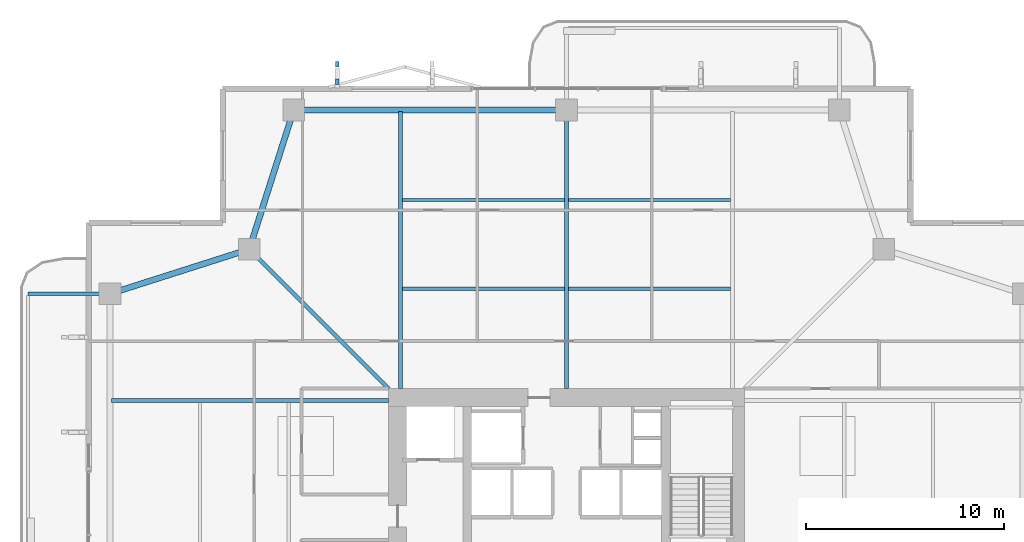
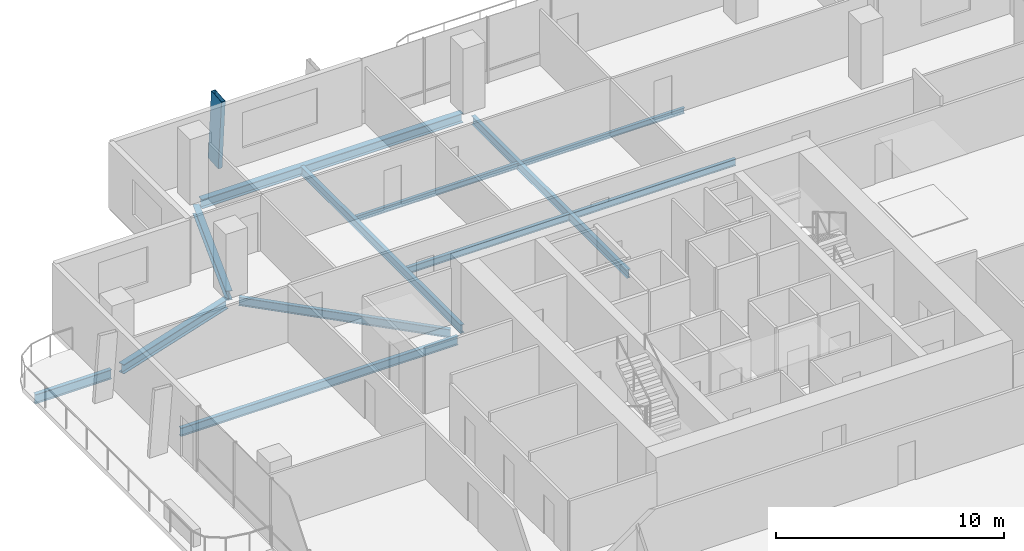
# One storey, part 13 of 25: 12 beams, 1 member.
"""IFC4 building model written with IfcOpenShell, lengths in metres."""

from ifc_helpers import new_model, si_unit, direction, frame, origin, origin_2d, place, context, subcontext, project, spatial, hollow_rectangle, i_section, extrude, material, material_profile, profile_set, type_object, element, save


model = new_model("IFC4")

# Units and contexts
model_context = context("Model", 3, precision=1e-05, world=origin(), true_north=direction((0.0, 1.0)))
body_context = subcontext(model_context, "Body", "Model", "MODEL_VIEW")
ifc_project = project(units=[si_unit("LENGTHUNIT", "METRE"), si_unit("AREAUNIT", "SQUARE_METRE"), si_unit("VOLUMEUNIT", "CUBIC_METRE"), si_unit("PLANEANGLEUNIT", "RADIAN"), si_unit("MASSUNIT", "GRAM", prefix="KILO")], contexts=[model_context])

# Site, building, storey
site_placement = place(None, origin())
site = spatial("IfcSite", under=ifc_project, at=site_placement, CompositionType="ELEMENT")
building_placement = place(site_placement, origin())
building = spatial("IfcBuilding", under=site, at=building_placement, Name="Belovzor Exchange Tower", CompositionType="ELEMENT")
storey_placement = place(building_placement, frame((0.0, 0.0, 183.300048828125)))
storey = spatial("IfcBuildingStorey", under=building, at=storey_placement, Name="L45", CompositionType="ELEMENT", Elevation=183.300048828125)

# Beams
ifc_material_1 = material(Name="Steel S355", Category="steel")
ifc_material_profile_1 = material_profile(ifc_material_1, i_section(OverallWidth=0.199951171875, OverallDepth=0.5, WebThickness=0.01025390625, FlangeThickness=0.01611328125, at=origin_2d()))
ifc_profile_set_1 = profile_set([ifc_material_profile_1], Name="Steel S355")
beam_type_1 = type_object("IfcBeamType", Name="Planted Balcony Cantilever Beam IPE 500", PredefinedType="BEAM", material=ifc_profile_set_1)
beam_1_placement = place(storey_placement, frame((5.39697265625, 42.60009765625, -0.505126953125), z_axis=(-1.0, 0.0, 0.0), x_axis=(0.0, -1.0, 0.0)))
element("IfcBeam", 1, at=beam_1_placement, inside=storey, type_object=beam_type_1, Name="BC-500 Planted Balcony Cantilever Beam IPE 500", PredefinedType="BEAM", context=body_context, shape_type="SweptSolid", body=[
    extrude(i_section(OverallWidth=0.199951171875, OverallDepth=0.5, WebThickness=0.01025390625, FlangeThickness=0.01611328125, at=origin_2d()), origin(), (0.0, 0.0, 1.0), 3.849853515625),
])
ifc_material_2 = material(Name="Steel S355", Category="steel")
ifc_material_profile_2 = material_profile(ifc_material_2, i_section(OverallWidth=0.169921875, OverallDepth=0.360107421875, WebThickness=0.008056640625, FlangeThickness=0.0126953125, at=origin_2d()))
ifc_profile_set_2 = profile_set([ifc_material_profile_2], Name="Steel S355")
beam_type_2 = type_object("IfcBeamType", Name="Secondary Infill Floor Joist IPE 360", PredefinedType="BEAM", material=ifc_profile_set_2)
for number, where, z_axis, x_axis, name in (
    (2, (20.4951171875, 42.84912109375, -0.43505859375), (1.0, 0.0, 0.0), (0.0, 1.0, 0.0), "FJ-360 Secondary Infill Floor Joist IPE 360"),
    (3, (28.89501953125, 42.84912109375, -0.43505859375), (1.0, 0.0, 0.0), (0.0, 1.0, 0.0), "FJ-360 Secondary Infill Floor Joist IPE 360"),
):
    element("IfcBeam", number, at=place(storey_placement, frame(where, z_axis=z_axis, x_axis=x_axis)), inside=storey, type_object=beam_type_2, Name=name, PredefinedType="BEAM", context=body_context, shape_type="SweptSolid", body=[
        extrude(i_section(OverallWidth=0.169921875, OverallDepth=0.360107421875, WebThickness=0.008056640625, FlangeThickness=0.0126953125, at=origin_2d()), origin(), (0.0, 0.0, 1.0), 8.2099609375),
    ])
ifc_material_3 = material(Name="Steel S355", Category="steel")
ifc_material_profile_3 = material_profile(ifc_material_3, i_section(OverallWidth=0.14990234375, OverallDepth=0.300048828125, WebThickness=0.007080078125, FlangeThickness=0.0107421875, at=origin_2d()))
ifc_profile_set_3 = profile_set([ifc_material_profile_3], Name="Steel S355")
beam_type_3 = type_object("IfcBeamType", Name="Secondary Trim Floor Joist IPE 300", PredefinedType="BEAM", material=ifc_profile_set_3)
for number, where, z_axis, x_axis, name in (
    (4, (20.4951171875, 47.3369140625, -0.405029296875), (1.0, 0.0, 0.0), (0.0, 1.0, 0.0), "FJ-300 Secondary Trim Floor Joist IPE 300"),
    (5, (28.89501953125, 47.3369140625, -0.405029296875), (1.0, 0.0, 0.0), (0.0, 1.0, 0.0), "FJ-300 Secondary Trim Floor Joist IPE 300"),
):
    element("IfcBeam", number, at=place(storey_placement, frame(where, z_axis=z_axis, x_axis=x_axis)), inside=storey, type_object=beam_type_3, Name=name, PredefinedType="BEAM", context=body_context, shape_type="SweptSolid", body=[
        extrude(i_section(OverallWidth=0.14990234375, OverallDepth=0.300048828125, WebThickness=0.007080078125, FlangeThickness=0.0107421875, at=origin_2d()), origin(), (0.0, 0.0, 1.0), 8.2099609375),
    ])

# Member
ifc_material_4 = material(Name="Extruded Architectural Terracotta on Steel S355 Carrier", Category="masonry")
ifc_material_profile_4 = material_profile(ifc_material_4, hollow_rectangle(XDim=0.199951171875, YDim=0.89990234375, WallThickness=0.011962890625, at=origin_2d()))
ifc_profile_set_4 = profile_set([ifc_material_profile_4], Name="Extruded Architectural Terracotta on Steel S355 Carrier")
member_type = type_object("IfcMemberType", Name="Sweeping Terracotta Baguette Fin Assembly 1250", PredefinedType="USERDEFINED", material=ifc_profile_set_4)
member_placement = place(storey_placement, frame((17.199951171875, 53.910888671875, -0.255126953125), z_axis=(0.0, -0.076016392655, 0.99710656805), x_axis=(1.0, 0.0, 0.0)))
element("IfcMember", 6, at=member_placement, inside=storey, type_object=member_type, Name="FIN-TC125 Terracotta Facade Fin L45 N1", ObjectType="FIN", PredefinedType="USERDEFINED", context=body_context, shape_type="SweptSolid", body=[
    extrude(hollow_rectangle(XDim=0.199951171875, YDim=0.89990234375, WallThickness=0.011962890625, at=origin_2d()), origin(), (0.0, 0.0, 1.0), 3.760986328125),
])

# Beams
ifc_material_5 = material(Name="Steel S355", Category="steel")
ifc_material_profile_5 = material_profile(ifc_material_5, i_section(OverallWidth=0.18994140625, OverallDepth=0.449951171875, WebThickness=0.009521484375, FlangeThickness=0.0146484375, at=origin_2d()))
ifc_profile_set_5 = profile_set([ifc_material_profile_5], Name="Steel S355")
beam_type_4 = type_object("IfcBeamType", Name="Zone 2-4 Radial Composite Floor Beam IPE 450", PredefinedType="BEAM", material=ifc_profile_set_5)
beam_2_placement = place(storey_placement, frame((20.39990234375, 37.800048828125, -0.47998046875), z_axis=(0.0, 1.0, 0.0), x_axis=(-1.0, 0.0, 0.0)))
element("IfcBeam", 7, at=beam_2_placement, inside=storey, type_object=beam_type_4, Name="FB-450 Zone 2-4 Radial Composite Floor Beam IPE 450", PredefinedType="BEAM", context=body_context, shape_type="SweptSolid", body=[
    extrude(i_section(OverallWidth=0.18994140625, OverallDepth=0.449951171875, WebThickness=0.009521484375, FlangeThickness=0.0146484375, at=origin_2d()), origin(), (0.0, 0.0, 1.0), 14.02490234375),
])
beam_3_placement = place(storey_placement, frame((28.800048828125, 37.800048828125, -0.47998046875), z_axis=(0.0, 1.0, 0.0), x_axis=(-1.0, 0.0, 0.0)))
element("IfcBeam", 8, at=beam_3_placement, inside=storey, type_object=beam_type_4, Name="FB-450 Zone 2-4 Radial Composite Floor Beam IPE 450", PredefinedType="BEAM", context=body_context, shape_type="SweptSolid", body=[
    extrude(i_section(OverallWidth=0.18994140625, OverallDepth=0.449951171875, WebThickness=0.009521484375, FlangeThickness=0.0146484375, at=origin_2d()), origin(), (0.0, 0.0, 1.0), 13.615966796875),
])
beam_4_placement = place(storey_placement, frame((19.800048828125, 37.199951171875, -0.47998046875), z_axis=(-1.0, 0.0, 0.0), x_axis=(0.0, -1.0, 0.0)))
element("IfcBeam", 9, at=beam_4_placement, inside=storey, type_object=beam_type_4, Name="FB-450 Zone 2-4 Radial Composite Floor Beam IPE 450", PredefinedType="BEAM", context=body_context, shape_type="SweptSolid", body=[
    extrude(i_section(OverallWidth=0.18994140625, OverallDepth=0.449951171875, WebThickness=0.009521484375, FlangeThickness=0.0146484375, at=origin_2d()), origin(), (0.0, 0.0, 1.0), 14.025146484375),
])
beam_5_placement = place(storey_placement, frame((19.800048828125, 37.800048828125, -0.47998046875), z_axis=(-0.707119521505, 0.707094040639, 0.0), x_axis=(-0.707094040639, -0.707119521505, 0.0)))
element("IfcBeam", 10, at=beam_5_placement, inside=storey, type_object=beam_type_4, Name="FB-450 Zone 2-4 Radial Composite Floor Beam IPE 450", PredefinedType="BEAM", context=body_context, shape_type="SweptSolid", body=[
    extrude(i_section(OverallWidth=0.18994140625, OverallDepth=0.449951171875, WebThickness=0.009521484375, FlangeThickness=0.0146484375, at=origin_2d()), origin(), (0.0, 0.0, 1.0), 9.581298828125),
])
ifc_material_6 = material(Name="Steel S355", Category="steel")
ifc_material_profile_6 = material_profile(ifc_material_6, i_section(OverallWidth=0.300048828125, OverallDepth=0.5, WebThickness=0.014404296875, FlangeThickness=0.028076171875, at=origin_2d()))
ifc_profile_set_6 = profile_set([ifc_material_profile_6], Name="Steel S355")
beam_type_5 = type_object("IfcBeamType", Name="Zone 3 Waist Primary Girder HEB 500", PredefinedType="BEAM", material=ifc_profile_set_6)
beam_6_placement = place(storey_placement, frame((28.498046875, 51.89990234375, -0.505126953125), z_axis=(-1.0, 0.0, 0.0), x_axis=(0.0, -1.0, 0.0)))
element("IfcBeam", 11, at=beam_6_placement, inside=storey, type_object=beam_type_5, Name="FG-Z3 Zone 3 Waist Primary Girder HEB 500", PredefinedType="BEAM", context=body_context, shape_type="SweptSolid", body=[
    extrude(i_section(OverallWidth=0.300048828125, OverallDepth=0.5, WebThickness=0.014404296875, FlangeThickness=0.028076171875, at=origin_2d()), origin(), (0.0, 0.0, 1.0), 13.195068359375),
])
for number, where, z_axis, x_axis, name in (
    (12, (14.907958984375, 51.612060546875, -0.505126953125), (-0.304001325621, -0.952671608699, 0.0), (0.952671608699, -0.304001325621, 0.0), "FG-Z3 Zone 3 Waist Primary Girder HEB 500"),
    (13, (12.4619140625, 44.758056640625, -0.505126953125), (-0.952657882792, -0.304044336164, 0.0), (0.304044336164, -0.952657882792, 0.0), "FG-Z3 Zone 3 Waist Primary Girder HEB 500"),
):
    element("IfcBeam", number, at=place(storey_placement, frame(where, z_axis=z_axis, x_axis=x_axis)), inside=storey, type_object=beam_type_5, Name=name, PredefinedType="BEAM", context=body_context, shape_type="SweptSolid", body=[
        extrude(i_section(OverallWidth=0.300048828125, OverallDepth=0.5, WebThickness=0.014404296875, FlangeThickness=0.028076171875, at=origin_2d()), origin(), (0.0, 0.0, 1.0), 6.795654296875),
    ])

save(model, "model.ifc")
